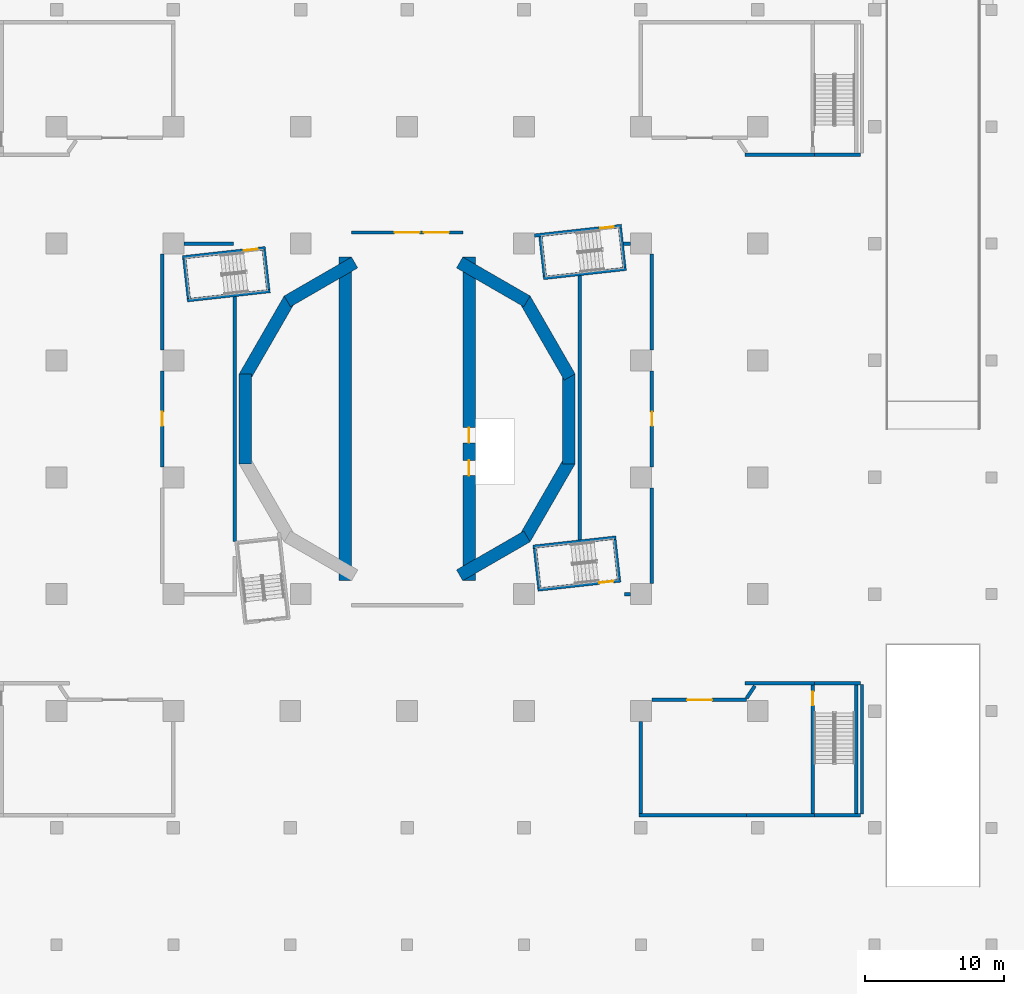
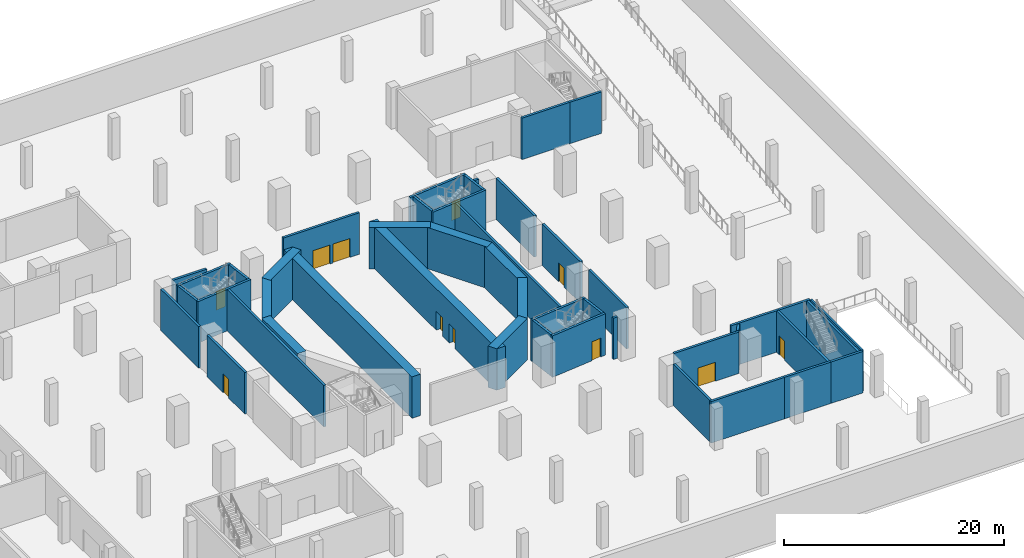
# One storey, part 6 of 20: 46 walls, 11 doors, 11 openings.
"""IFC4 building model written with IfcOpenShell, lengths in metres."""

from ifc_helpers import new_model, si_unit, direction, frame, frame_2d, origin, place, context, subcontext, project, spatial, rectangle, extrude, material, layer, layer_set, type_object, element, fill, save


model = new_model("IFC4")

# Units and contexts
model_context = context("Model", 3, precision=1e-05, world=origin(), true_north=direction((0.0, 1.0)))
body_context = subcontext(model_context, "Body", "Model", "MODEL_VIEW")
ifc_project = project(units=[si_unit("LENGTHUNIT", "METRE"), si_unit("AREAUNIT", "SQUARE_METRE"), si_unit("VOLUMEUNIT", "CUBIC_METRE"), si_unit("PLANEANGLEUNIT", "RADIAN"), si_unit("MASSUNIT", "GRAM", prefix="KILO")], contexts=[model_context])

# Site, building, storey
site_placement = place(None, origin())
site = spatial("IfcSite", under=ifc_project, at=site_placement, CompositionType="ELEMENT")
building_placement = place(site_placement, origin())
building = spatial("IfcBuilding", under=site, at=building_placement, Name="Cantera Rosa Tower", CompositionType="ELEMENT")
storey_placement = place(building_placement, frame((0.0, 0.0, -5.0)))
storey = spatial("IfcBuildingStorey", under=building, at=storey_placement, Name="B1", CompositionType="ELEMENT", Elevation=-5.0)

# Walls
ifc_material_1 = material(Name="Masonry blockwork", Category="masonry")
ifc_layer_1 = layer(ifc_material_1, 0.199951171875)
ifc_layer_set_1 = layer_set([ifc_layer_1], Name="Blockwork partition 200")
wall_type_1 = type_object("IfcWallType", Name="Blockwork partition 200", PredefinedType="PARTITIONING", material=ifc_layer_set_1)
wall_1_placement = place(storey_placement, frame((32.699951171875, -28.39990234375, 0.0), z_axis=(0.0, 0.0, 1.0), x_axis=(0.0, 1.0, 0.0)))
element("IfcWall", 1, at=wall_1_placement, inside=storey, type_object=wall_type_1, Name="Partition B1-32", PredefinedType="PARTITIONING", context=body_context, shape_type="SweptSolid", body=[
    extrude(rectangle(XDim=9.2998046875, YDim=0.199951171875, at=frame_2d((4.64990234375, 0.0))), origin(), (0.0, 0.0, 1.0), 4.60009765625),
])
ifc_material_2 = material(Name="Concrete C70/85", Category="concrete")
ifc_layer_2 = layer(ifc_material_2, 0.89990234375)
ifc_layer_set_2 = layer_set([ifc_layer_2], Name="Drum wall 900")
wall_type_2 = type_object("IfcWallType", Name="Drum wall 900", PredefinedType="SHEAR", material=ifc_layer_set_2)
wall_2_placement = place(storey_placement, frame((-11.6240234375, -3.2353515625, 0.0), z_axis=(0.0, 0.0, 1.0), x_axis=(0.0, 1.0, 0.0)))
element("IfcWall", 2, at=wall_2_placement, inside=storey, type_object=wall_type_2, Name="Drum wall west 3 B1", PredefinedType="SHEAR", context=body_context, shape_type="SweptSolid", body=[
    extrude(rectangle(XDim=6.470703125, YDim=0.89990234375, at=frame_2d((3.2353515625, 0.0))), origin(), (0.0, 0.0, 1.0), 4.60009765625),
])
wall_3_placement = place(storey_placement, frame((-11.684326171875, 3.01025390625, 0.0), z_axis=(0.0, 0.0, 1.0), x_axis=(0.499990282633, 0.866031014036, 0.0)))
element("IfcWall", 3, at=wall_3_placement, inside=storey, type_object=wall_type_2, Name="Drum wall west 4 B1", PredefinedType="SHEAR", context=body_context, shape_type="SweptSolid", body=[
    extrude(rectangle(XDim=6.470458984375, YDim=0.89990234375, at=frame_2d((3.2353515625, 0.0))), origin(), (0.0, 0.0, 1.0), 4.60009765625),
])
wall_4_placement = place(storey_placement, frame((-8.61376953125, 8.44921875, 0.0), z_axis=(0.0, 0.0, 1.0), x_axis=(0.866026961591, 0.49999730179, 0.0)))
element("IfcWall", 4, at=wall_4_placement, inside=storey, type_object=wall_type_2, Name="Drum wall west 5 B1", PredefinedType="SHEAR", context=body_context, shape_type="SweptSolid", body=[
    extrude(rectangle(XDim=5.58740234375, YDim=0.89990234375, at=frame_2d((2.793701171875, 0.0))), origin(), (0.0, 0.0, 1.0), 4.60009765625),
])
wall_5_placement = place(storey_placement, frame((-4.449951171875, 11.632568359375, 0.0), z_axis=(0.0, 0.0, 1.0), x_axis=(0.0, -1.0, 0.0)))
element("IfcWall", 5, at=wall_5_placement, inside=storey, type_object=wall_type_2, Name="Drum wall west 6 B1", PredefinedType="SHEAR", context=body_context, shape_type="SweptSolid", body=[
    extrude(rectangle(XDim=23.26513671875, YDim=0.89990234375, at=frame_2d((11.632568359375, 0.0))), origin(), (0.0, 0.0, 1.0), 4.60009765625),
])
wall_6_placement = place(storey_placement, frame((3.77490234375, 11.242919921875, 0.0), z_axis=(0.0, 0.0, 1.0), x_axis=(0.866026961591, -0.49999730179, 0.0)))
element("IfcWall", 6, at=wall_6_placement, inside=storey, type_object=wall_type_2, Name="Drum wall east 1 B1", PredefinedType="SHEAR", context=body_context, shape_type="SweptSolid", body=[
    extrude(rectangle(XDim=5.58740234375, YDim=0.89990234375, at=frame_2d((2.793701171875, 0.0))), origin(), (0.0, 0.0, 1.0), 4.60009765625),
])
wall_7_placement = place(storey_placement, frame((8.44921875, 8.61376953125, 0.0), z_axis=(0.0, 0.0, 1.0), x_axis=(0.499990282633, -0.866031014036, 0.0)))
element("IfcWall", 7, at=wall_7_placement, inside=storey, type_object=wall_type_2, Name="Drum wall east 2 B1", PredefinedType="SHEAR", context=body_context, shape_type="SweptSolid", body=[
    extrude(rectangle(XDim=6.470458984375, YDim=0.89990234375, at=frame_2d((3.2353515625, 0.0))), origin(), (0.0, 0.0, 1.0), 4.60009765625),
])
wall_8_placement = place(storey_placement, frame((11.6240234375, 3.2353515625, 0.0), z_axis=(0.0, 0.0, 1.0), x_axis=(0.0, -1.0, 0.0)))
element("IfcWall", 8, at=wall_8_placement, inside=storey, type_object=wall_type_2, Name="Drum wall east 3 B1", PredefinedType="SHEAR", context=body_context, shape_type="SweptSolid", body=[
    extrude(rectangle(XDim=6.470703125, YDim=0.89990234375, at=frame_2d((3.2353515625, 0.0))), origin(), (0.0, 0.0, 1.0), 4.60009765625),
])
wall_9_placement = place(storey_placement, frame((11.684326171875, -3.01025390625, 0.0), z_axis=(0.0, 0.0, 1.0), x_axis=(-0.499990282633, -0.866031014036, 0.0)))
element("IfcWall", 9, at=wall_9_placement, inside=storey, type_object=wall_type_2, Name="Drum wall east 4 B1", PredefinedType="SHEAR", context=body_context, shape_type="SweptSolid", body=[
    extrude(rectangle(XDim=6.470458984375, YDim=0.89990234375, at=frame_2d((3.2353515625, 0.0))), origin(), (0.0, 0.0, 1.0), 4.60009765625),
])
wall_10_placement = place(storey_placement, frame((8.61376953125, -8.44921875, 0.0), z_axis=(0.0, 0.0, 1.0), x_axis=(-0.866026961591, -0.49999730179, 0.0)))
element("IfcWall", 10, at=wall_10_placement, inside=storey, type_object=wall_type_2, Name="Drum wall east 5 B1", PredefinedType="SHEAR", context=body_context, shape_type="SweptSolid", body=[
    extrude(rectangle(XDim=5.58740234375, YDim=0.89990234375, at=frame_2d((2.793701171875, 0.0))), origin(), (0.0, 0.0, 1.0), 4.60009765625),
])

# Wall, openings, doors
wall_11_placement = place(storey_placement, frame((4.449951171875, -11.632568359375, 0.0), z_axis=(0.0, 0.0, 1.0), x_axis=(0.0, 1.0, 0.0)))
wall_11 = element("IfcWall", 11, at=wall_11_placement, inside=storey, type_object=wall_type_2, Name="Drum wall east 6 B1", PredefinedType="SHEAR", context=body_context, shape_type="SweptSolid", body=[
    extrude(rectangle(XDim=23.26513671875, YDim=0.89990234375, at=frame_2d((11.632568359375, 0.0))), origin(), (0.0, 0.0, 1.0), 4.60009765625),
])
opening_1_placement = place(wall_11_placement, frame((7.5576171875, 0.0, 0.0)))
opening_1 = element("IfcOpeningElement", 12, at=opening_1_placement, cuts=wall_11, Name="Opening LD-FF1-B1", PredefinedType="OPENING", context=body_context, shape_type="SweptSolid", body=[
    extrude(rectangle(XDim=1.10009765625, YDim=2.10009765625, at=frame_2d((0.550048828125, 1.050048828125))), frame((0.0, 0.4599609375, 0.0), z_axis=(0.0, -1.0, 0.0), x_axis=(1.0, 0.0, 0.0)), (0.0, 0.0, 1.0), 0.919921875),
])
opening_2_placement = place(wall_11_placement, frame((9.907470703125, 0.0, 0.0)))
opening_2 = element("IfcOpeningElement", 13, at=opening_2_placement, cuts=wall_11, Name="Opening LD-FF2-B1", PredefinedType="OPENING", context=body_context, shape_type="SweptSolid", body=[
    extrude(rectangle(XDim=1.10009765625, YDim=2.10009765625, at=frame_2d((0.550048828125, 1.050048828125))), frame((0.0, 0.4599609375, 0.0), z_axis=(0.0, -1.0, 0.0), x_axis=(1.0, 0.0, 0.0)), (0.0, 0.0, 1.0), 0.919921875),
])
ifc_material_3 = material(Name="Steel S355J2 (EN 10025-2)", Category="steel")
door_type_1 = type_object("IfcDoorType", Name="LANDING DOOR 1100x2100", OperationType="NOTDEFINED", PredefinedType="DOOR", material=ifc_material_3)
door_1_placement = place(opening_1_placement, origin())
door_1 = element("IfcDoor", 14, at=door_1_placement, inside=storey, type_object=door_type_1, Name="LANDING DOOR FF1 B1", OperationType="SLIDING_TO_LEFT", OverallHeight=2.10009765625, OverallWidth=1.10009765625, PredefinedType="DOOR", context=body_context, shape_type="SweptSolid", body=[
    extrude(rectangle(XDim=1.10009765625, YDim=2.10009765625, at=frame_2d((0.550048828125, 1.050048828125))), frame((0.0, 0.02490234375, 0.0), z_axis=(0.0, -1.0, 0.0), x_axis=(1.0, 0.0, 0.0)), (0.0, 0.0, 1.0), 0.050048828125),
])
fill(opening_1, door_1)
door_2_placement = place(opening_2_placement, origin())
door_2 = element("IfcDoor", 15, at=door_2_placement, inside=storey, type_object=door_type_1, Name="LANDING DOOR FF2 B1", OperationType="SLIDING_TO_LEFT", OverallHeight=2.10009765625, OverallWidth=1.10009765625, PredefinedType="DOOR", context=body_context, shape_type="SweptSolid", body=[
    extrude(rectangle(XDim=1.10009765625, YDim=2.10009765625, at=frame_2d((0.550048828125, 1.050048828125))), frame((0.0, 0.02490234375, 0.0), z_axis=(0.0, -1.0, 0.0), x_axis=(1.0, 0.0, 0.0)), (0.0, 0.0, 1.0), 0.050048828125),
])
fill(opening_2, door_2)

# Walls
ifc_material_4 = material(Name="Concrete C50/60", Category="concrete")
ifc_layer_3 = layer(ifc_material_4, 0.25)
ifc_layer_set_3 = layer_set([ifc_layer_3], Name="External stair wall 250")
wall_type_3 = type_object("IfcWallType", Name="External stair wall 250", PredefinedType="SOLIDWALL", material=ifc_layer_set_3)
wall_12_placement = place(storey_placement, frame((12.39990234375, -8.6923828125, 0.0), z_axis=(0.0, 0.0, 1.0), x_axis=(0.0, 1.0, 0.0)))
element("IfcWall", 16, at=wall_12_placement, inside=storey, type_object=wall_type_3, Name="Fire wall B1-8", PredefinedType="PARTITIONING", context=body_context, shape_type="SweptSolid", body=[
    extrude(rectangle(XDim=18.98486328125, YDim=0.25, at=frame_2d((9.492431640625, 0.0))), origin(), (0.0, 0.0, 1.0), 4.60009765625),
])
for number, where, z_axis, x_axis, name in (
    (17, (32.60009765625, 19.0, 0.0), (0.0, 0.0, 1.0), (-1.0, 0.0, 0.0), "Stair wall B1-31"),
    (18, (29.27490234375, -19.0, 0.0), (0.0, 0.0, 1.0), (1.0, 0.0, 0.0), "Stair wall B1-54"),
    (19, (32.60009765625, -28.5, 0.0), (0.0, 0.0, 1.0), (-1.0, 0.0, 0.0), "Stair wall B1-61"),
):
    element("IfcWall", number, at=place(storey_placement, frame(where, z_axis=z_axis, x_axis=x_axis)), inside=storey, type_object=wall_type_3, Name=name, PredefinedType="SOLIDWALL", context=body_context, shape_type="SweptSolid", body=[
        extrude(rectangle(XDim=3.3251953125, YDim=0.25, at=frame_2d((1.66259765625, 0.0))), origin(), (0.0, 0.0, 1.0), 4.60009765625),
    ])
ifc_material_5 = material(Name="Masonry blockwork", Category="masonry")
ifc_layer_4 = layer(ifc_material_5, 0.25)
ifc_layer_set_4 = layer_set([ifc_layer_4], Name="Fire-rated external wall 250")
wall_type_4 = type_object("IfcWallType", Name="Fire-rated external wall 250", PredefinedType="PARTITIONING", material=ifc_layer_set_4)
wall_13_placement = place(storey_placement, frame((15.613525390625, -12.60009765625, 0.0), z_axis=(0.0, 0.0, 1.0), x_axis=(1.0, 0.0, 0.0)))
element("IfcWall", 20, at=wall_13_placement, inside=storey, type_object=wall_type_4, Name="Fire wall B1-7", PredefinedType="PARTITIONING", context=body_context, shape_type="SweptSolid", body=[
    extrude(rectangle(XDim=0.4365234375, YDim=0.25, at=frame_2d((0.21826171875, 0.0))), origin(), (0.0, 0.0, 1.0), 4.60009765625),
])
wall_14_placement = place(storey_placement, frame((-16.050048828125, 12.60009765625, 0.0), z_axis=(0.0, 0.0, 1.0), x_axis=(1.0, 0.0, 0.0)))
element("IfcWall", 21, at=wall_14_placement, inside=storey, type_object=wall_type_4, Name="Fire wall B1-9", PredefinedType="PARTITIONING", context=body_context, shape_type="SweptSolid", body=[
    extrude(rectangle(XDim=3.560546875, YDim=0.25, at=frame_2d((1.7802734375, 0.0))), origin(), (0.0, 0.0, 1.0), 4.60009765625),
])
wall_15_placement = place(storey_placement, frame((15.5517578125, 12.60009765625, 0.0), z_axis=(0.0, 0.0, 1.0), x_axis=(1.0, 0.0, 0.0)))
element("IfcWall", 22, at=wall_15_placement, inside=storey, type_object=wall_type_4, Name="Fire wall B1-10", PredefinedType="PARTITIONING", context=body_context, shape_type="SweptSolid", body=[
    extrude(rectangle(XDim=0.498291015625, YDim=0.25, at=frame_2d((0.2490234375, 0.0))), origin(), (0.0, 0.0, 1.0), 4.60009765625),
])
wall_16_placement = place(storey_placement, frame((-12.39990234375, -8.7998046875, 0.0), z_axis=(0.0, 0.0, 1.0), x_axis=(0.0, 1.0, 0.0)))
element("IfcWall", 23, at=wall_16_placement, inside=storey, type_object=wall_type_4, Name="Fire wall B1-15", PredefinedType="PARTITIONING", context=body_context, shape_type="SweptSolid", body=[
    extrude(rectangle(XDim=17.5810546875, YDim=0.25, at=frame_2d((8.79052734375, 0.0))), origin(), (0.0, 0.0, 1.0), 4.60009765625),
])
wall_17_placement = place(storey_placement, frame((24.27490234375, 19.0, 0.0), z_axis=(0.0, 0.0, 1.0), x_axis=(1.0, 0.0, 0.0)))
element("IfcWall", 24, at=wall_17_placement, inside=storey, type_object=wall_type_4, Name="Fire wall B1-30", PredefinedType="PARTITIONING", context=body_context, shape_type="SweptSolid", body=[
    extrude(rectangle(XDim=5.0, YDim=0.25, at=frame_2d((2.5, 0.0))), origin(), (0.0, 0.0, 1.0), 4.60009765625),
])
wall_18_placement = place(storey_placement, frame((16.800048828125, -28.375, 0.0), z_axis=(0.0, 0.0, 1.0), x_axis=(0.0, 1.0, 0.0)))
element("IfcWall", 25, at=wall_18_placement, inside=storey, type_object=wall_type_4, Name="Fire wall B1-34", PredefinedType="PARTITIONING", context=body_context, shape_type="SweptSolid", body=[
    extrude(rectangle(XDim=6.625, YDim=0.25, at=frame_2d((3.3125, 0.0))), origin(), (0.0, 0.0, 1.0), 4.60009765625),
])
wall_19_placement = place(storey_placement, frame((24.27490234375, -19.0, 0.0), z_axis=(0.0, 0.0, 1.0), x_axis=(1.0, 0.0, 0.0)))
element("IfcWall", 26, at=wall_19_placement, inside=storey, type_object=wall_type_4, Name="Fire wall B1-53", PredefinedType="PARTITIONING", context=body_context, shape_type="SweptSolid", body=[
    extrude(rectangle(XDim=5.0, YDim=0.25, at=frame_2d((2.5, 0.0))), origin(), (0.0, 0.0, 1.0), 4.60009765625),
])
wall_20_placement = place(storey_placement, frame((16.675048828125, -28.5, 0.0), z_axis=(0.0, 0.0, 1.0), x_axis=(1.0, 0.0, 0.0)))
element("IfcWall", 27, at=wall_20_placement, inside=storey, type_object=wall_type_4, Name="Fire wall B1-59", PredefinedType="PARTITIONING", context=body_context, shape_type="SweptSolid", body=[
    extrude(rectangle(XDim=7.724853515625, YDim=0.25, at=frame_2d((3.8623046875, 0.0))), origin(), (0.0, 0.0, 1.0), 4.60009765625),
])
wall_21_placement = place(storey_placement, frame((24.39990234375, -28.5, 0.0), z_axis=(0.0, 0.0, 1.0), x_axis=(1.0, 0.0, 0.0)))
element("IfcWall", 28, at=wall_21_placement, inside=storey, type_object=wall_type_4, Name="Fire wall B1-60", PredefinedType="PARTITIONING", context=body_context, shape_type="SweptSolid", body=[
    extrude(rectangle(XDim=4.875, YDim=0.25, at=frame_2d((2.4375, 0.0))), origin(), (0.0, 0.0, 1.0), 4.60009765625),
])

# Wall, openings, doors
ifc_material_6 = material(Name="Masonry blockwork", Category="masonry")
ifc_layer_5 = layer(ifc_material_6, 0.25)
ifc_layer_set_5 = layer_set([ifc_layer_5], Name="Fire-rated wall 250")
wall_type_5 = type_object("IfcWallType", Name="Fire-rated wall 250", PredefinedType="PARTITIONING", material=ifc_layer_set_5)
wall_22_placement = place(storey_placement, frame((-4.0, 13.39990234375, 0.0), z_axis=(0.0, 0.0, 1.0), x_axis=(1.0, 0.0, 0.0)))
wall_22 = element("IfcWall", 29, at=wall_22_placement, inside=storey, type_object=wall_type_5, Name="Fire wall B1-1", PredefinedType="PARTITIONING", context=body_context, shape_type="SweptSolid", body=[
    extrude(rectangle(XDim=8.0, YDim=0.25, at=frame_2d((4.0, 0.0))), origin(), (0.0, 0.0, 1.0), 4.60009765625),
])
opening_3_placement = place(wall_22_placement, frame((3.10009765625, 0.0, 0.0)))
opening_3 = element("IfcOpeningElement", 30, at=opening_3_placement, cuts=wall_22, Name="Opening B1-009", PredefinedType="OPENING", context=body_context, shape_type="SweptSolid", body=[
    extrude(rectangle(XDim=1.800048828125, YDim=2.10009765625, at=frame_2d((0.89990234375, 1.050048828125))), frame((0.0, 0.135009765625, 0.0), z_axis=(0.0, -1.0, 0.0), x_axis=(1.0, 0.0, 0.0)), (0.0, 0.0, 1.0), 0.27001953125),
])
opening_4_placement = place(wall_22_placement, frame((5.199951171875, 0.0, 0.0)))
opening_4 = element("IfcOpeningElement", 31, at=opening_4_placement, cuts=wall_22, Name="Opening B1-010", PredefinedType="OPENING", context=body_context, shape_type="SweptSolid", body=[
    extrude(rectangle(XDim=1.800048828125, YDim=2.10009765625, at=frame_2d((0.89990234375, 1.050048828125))), frame((0.0, 0.135009765625, 0.0), z_axis=(0.0, -1.0, 0.0), x_axis=(1.0, 0.0, 0.0)), (0.0, 0.0, 1.0), 0.27001953125),
])
ifc_material_7 = material(Name="Steel S355J2 (EN 10025-2)", Category="steel")
door_type_2 = type_object("IfcDoorType", Name="Fire double door 1800x2100", OperationType="NOTDEFINED", PredefinedType="DOOR", material=ifc_material_7)
door_3_placement = place(opening_3_placement, origin())
door_3 = element("IfcDoor", 32, at=door_3_placement, inside=storey, type_object=door_type_2, Name="Door B1-009", OperationType="DOUBLE_DOOR_SINGLE_SWING", OverallHeight=2.10009765625, OverallWidth=1.800048828125, PredefinedType="DOOR", context=body_context, shape_type="SweptSolid", body=[
    extrude(rectangle(XDim=1.800048828125, YDim=2.10009765625, at=frame_2d((0.89990234375, 1.050048828125))), frame((0.0, 0.02490234375, 0.0), z_axis=(0.0, -1.0, 0.0), x_axis=(1.0, 0.0, 0.0)), (0.0, 0.0, 1.0), 0.050048828125),
])
fill(opening_3, door_3)
door_4_placement = place(opening_4_placement, origin())
door_4 = element("IfcDoor", 33, at=door_4_placement, inside=storey, type_object=door_type_2, Name="Door B1-010", OperationType="DOUBLE_DOOR_SINGLE_SWING", OverallHeight=2.10009765625, OverallWidth=1.800048828125, PredefinedType="DOOR", context=body_context, shape_type="SweptSolid", body=[
    extrude(rectangle(XDim=1.800048828125, YDim=2.10009765625, at=frame_2d((0.89990234375, 1.050048828125))), frame((0.0, 0.02490234375, 0.0), z_axis=(0.0, -1.0, 0.0), x_axis=(1.0, 0.0, 0.0)), (0.0, 0.0, 1.0), 0.050048828125),
])
fill(opening_4, door_4)

# Wall
wall_23_placement = place(storey_placement, frame((17.60009765625, -11.85009765625, 0.0), z_axis=(0.0, 0.0, 1.0), x_axis=(0.0, 1.0, 0.0)))
element("IfcWall", 34, at=wall_23_placement, inside=storey, type_object=wall_type_5, Name="Fire wall B1-3", PredefinedType="PARTITIONING", context=body_context, shape_type="SweptSolid", body=[
    extrude(rectangle(XDim=6.900146484375, YDim=0.25, at=frame_2d((3.4501953125, 0.0))), origin(), (0.0, 0.0, 1.0), 4.60009765625),
])

# Wall, opening, door
wall_24_placement = place(storey_placement, frame((17.60009765625, -3.449951171875, 0.0), z_axis=(0.0, 0.0, 1.0), x_axis=(0.0, 1.0, 0.0)))
wall_24 = element("IfcWall", 35, at=wall_24_placement, inside=storey, type_object=wall_type_5, Name="Fire wall B1-4", PredefinedType="PARTITIONING", context=body_context, shape_type="SweptSolid", body=[
    extrude(rectangle(XDim=6.89990234375, YDim=0.25, at=frame_2d((3.449951171875, 0.0))), origin(), (0.0, 0.0, 1.0), 4.60009765625),
])
opening_5_placement = place(wall_24_placement, frame((2.949951171875, 0.0, 0.0)))
opening_5 = element("IfcOpeningElement", 36, at=opening_5_placement, cuts=wall_24, Name="Opening B1-011", PredefinedType="OPENING", context=body_context, shape_type="SweptSolid", body=[
    extrude(rectangle(XDim=1.0, YDim=2.10009765625, at=frame_2d((0.5, 1.050048828125))), frame((0.0, 0.135009765625, 0.0), z_axis=(0.0, -1.0, 0.0), x_axis=(1.0, 0.0, 0.0)), (0.0, 0.0, 1.0), 0.27001953125),
])
ifc_material_8 = material(Name="Steel S355J2 (EN 10025-2)", Category="steel")
door_type_3 = type_object("IfcDoorType", Name="Fire door 1000x2100", OperationType="NOTDEFINED", PredefinedType="DOOR", material=ifc_material_8)
door_5_placement = place(opening_5_placement, origin())
door_5 = element("IfcDoor", 37, at=door_5_placement, inside=storey, type_object=door_type_3, Name="Door B1-011", OverallHeight=2.10009765625, OverallWidth=1.0, PredefinedType="DOOR", context=body_context, shape_type="SweptSolid", body=[
    extrude(rectangle(XDim=1.0, YDim=2.10009765625, at=frame_2d((0.5, 1.050048828125))), frame((0.0, 0.02490234375, 0.0), z_axis=(0.0, -1.0, 0.0), x_axis=(1.0, 0.0, 0.0)), (0.0, 0.0, 1.0), 0.050048828125),
])
fill(opening_5, door_5)

# Wall
wall_25_placement = place(storey_placement, frame((17.60009765625, 4.949951171875, 0.0), z_axis=(0.0, 0.0, 1.0), x_axis=(0.0, 1.0, 0.0)))
element("IfcWall", 38, at=wall_25_placement, inside=storey, type_object=wall_type_5, Name="Fire wall B1-5", PredefinedType="PARTITIONING", context=body_context, shape_type="SweptSolid", body=[
    extrude(rectangle(XDim=6.900146484375, YDim=0.25, at=frame_2d((3.4501953125, 0.0))), origin(), (0.0, 0.0, 1.0), 4.60009765625),
])

# Wall, opening, door
wall_26_placement = place(storey_placement, frame((-17.60009765625, -3.449951171875, 0.0), z_axis=(0.0, 0.0, 1.0), x_axis=(0.0, 1.0, 0.0)))
wall_26 = element("IfcWall", 39, at=wall_26_placement, inside=storey, type_object=wall_type_5, Name="Fire wall B1-12", PredefinedType="PARTITIONING", context=body_context, shape_type="SweptSolid", body=[
    extrude(rectangle(XDim=6.89990234375, YDim=0.25, at=frame_2d((3.449951171875, 0.0))), origin(), (0.0, 0.0, 1.0), 4.60009765625),
])
opening_6_placement = place(wall_26_placement, frame((2.949951171875, 0.0, 0.0)))
opening_6 = element("IfcOpeningElement", 40, at=opening_6_placement, cuts=wall_26, Name="Opening B1-012", PredefinedType="OPENING", context=body_context, shape_type="SweptSolid", body=[
    extrude(rectangle(XDim=1.0, YDim=2.10009765625, at=frame_2d((0.5, 1.050048828125))), frame((0.0, 0.135009765625, 0.0), z_axis=(0.0, -1.0, 0.0), x_axis=(1.0, 0.0, 0.0)), (0.0, 0.0, 1.0), 0.27001953125),
])
door_6_placement = place(opening_6_placement, origin())
door_6 = element("IfcDoor", 41, at=door_6_placement, inside=storey, type_object=door_type_3, Name="Door B1-012", OverallHeight=2.10009765625, OverallWidth=1.0, PredefinedType="DOOR", context=body_context, shape_type="SweptSolid", body=[
    extrude(rectangle(XDim=1.0, YDim=2.10009765625, at=frame_2d((0.5, 1.050048828125))), frame((0.0, 0.02490234375, 0.0), z_axis=(0.0, -1.0, 0.0), x_axis=(1.0, 0.0, 0.0)), (0.0, 0.0, 1.0), 0.050048828125),
])
fill(opening_6, door_6)

# Walls
wall_27_placement = place(storey_placement, frame((-17.60009765625, 4.949951171875, 0.0), z_axis=(0.0, 0.0, 1.0), x_axis=(0.0, 1.0, 0.0)))
element("IfcWall", 42, at=wall_27_placement, inside=storey, type_object=wall_type_5, Name="Fire wall B1-13", PredefinedType="PARTITIONING", context=body_context, shape_type="SweptSolid", body=[
    extrude(rectangle(XDim=6.900146484375, YDim=0.25, at=frame_2d((3.4501953125, 0.0))), origin(), (0.0, 0.0, 1.0), 4.60009765625),
])
wall_28_placement = place(storey_placement, frame((24.39990234375, -20.074951171875, 0.0), z_axis=(0.0, 0.0, 1.0), x_axis=(0.559343029511, 0.828936291483, 0.0)))
element("IfcWall", 43, at=wall_28_placement, inside=storey, type_object=wall_type_5, Name="Fire wall B1-36", PredefinedType="PARTITIONING", context=body_context, shape_type="SweptSolid", body=[
    extrude(rectangle(XDim=1.06591796875, YDim=0.25, at=frame_2d((0.532958984375, 0.0))), origin(), (0.0, 0.0, 1.0), 4.60009765625),
])

# Wall, opening, door
wall_29_placement = place(storey_placement, frame((17.60009765625, -20.199951171875, 0.0), z_axis=(0.0, 0.0, 1.0), x_axis=(1.0, 0.0, 0.0)))
wall_29 = element("IfcWall", 44, at=wall_29_placement, inside=storey, type_object=wall_type_5, Name="Fire wall B1-63", PredefinedType="PARTITIONING", context=body_context, shape_type="SweptSolid", body=[
    extrude(rectangle(XDim=6.809814453125, YDim=0.25, at=frame_2d((3.40478515625, 0.0))), origin(), (0.0, 0.0, 1.0), 4.60009765625),
])
opening_7_placement = place(wall_29_placement, frame((2.52490234375, 0.0, 0.0)))
opening_7 = element("IfcOpeningElement", 45, at=opening_7_placement, cuts=wall_29, Name="Opening B1-005", PredefinedType="OPENING", context=body_context, shape_type="SweptSolid", body=[
    extrude(rectangle(XDim=1.800048828125, YDim=2.10009765625, at=frame_2d((0.89990234375, 1.050048828125))), frame((0.0, 0.135009765625, 0.0), z_axis=(0.0, -1.0, 0.0), x_axis=(1.0, 0.0, 0.0)), (0.0, 0.0, 1.0), 0.27001953125),
])
door_7_placement = place(opening_7_placement, origin())
door_7 = element("IfcDoor", 46, at=door_7_placement, inside=storey, type_object=door_type_2, Name="Door B1-005", OperationType="DOUBLE_DOOR_SINGLE_SWING", OverallHeight=2.10009765625, OverallWidth=1.800048828125, PredefinedType="DOOR", context=body_context, shape_type="SweptSolid", body=[
    extrude(rectangle(XDim=1.800048828125, YDim=2.10009765625, at=frame_2d((0.89990234375, 1.050048828125))), frame((0.0, 0.02490234375, 0.0), z_axis=(0.0, -1.0, 0.0), x_axis=(1.0, 0.0, 0.0)), (0.0, 0.0, 1.0), 0.050048828125),
])
fill(opening_7, door_7)

# Wall
ifc_material_9 = material(Name="Concrete C50/60", Category="concrete")
ifc_layer_6 = layer(ifc_material_9, 0.25)
ifc_layer_set_6 = layer_set([ifc_layer_6], Name="RC stair wall 250 C50/60")
wall_type_6 = type_object("IfcWallType", Name="RC stair wall 250", PredefinedType="SOLIDWALL", material=ifc_layer_set_6)
wall_30_placement = place(storey_placement, frame((32.300048828125, -28.375, 0.0), z_axis=(0.0, 0.0, 1.0), x_axis=(0.0, 1.0, 0.0)))
element("IfcWall", 47, at=wall_30_placement, inside=storey, type_object=wall_type_6, Name="Stair wall B1-16", PredefinedType="SOLIDWALL", context=body_context, shape_type="SweptSolid", body=[
    extrude(rectangle(XDim=9.25, YDim=0.25, at=frame_2d((4.625, 0.0))), origin(), (0.0, 0.0, 1.0), 4.60009765625),
])

# Wall, opening, door
wall_31_placement = place(storey_placement, frame((29.14990234375, -28.375, 0.0), z_axis=(0.0, 0.0, 1.0), x_axis=(0.0, 1.0, 0.0)))
wall_31 = element("IfcWall", 48, at=wall_31_placement, inside=storey, type_object=wall_type_6, Name="Stair wall B1-25", PredefinedType="SOLIDWALL", context=body_context, shape_type="SweptSolid", body=[
    extrude(rectangle(XDim=9.25, YDim=0.25, at=frame_2d((4.625, 0.0))), origin(), (0.0, 0.0, 1.0), 4.60009765625),
])
opening_8_placement = place(wall_31_placement, frame((7.77490234375, 0.0, 0.0)))
opening_8 = element("IfcOpeningElement", 49, at=opening_8_placement, cuts=wall_31, Name="Opening B1-006", PredefinedType="OPENING", context=body_context, shape_type="SweptSolid", body=[
    extrude(rectangle(XDim=1.0, YDim=2.10009765625, at=frame_2d((0.5, 1.050048828125))), frame((0.0, 0.135009765625, 0.0), z_axis=(0.0, -1.0, 0.0), x_axis=(1.0, 0.0, 0.0)), (0.0, 0.0, 1.0), 0.27001953125),
])
ifc_material_10 = material(Name="Steel S355J2 (EN 10025-2)", Category="steel")
door_type_4 = type_object("IfcDoorType", Name="Fire door 1000x2100 EI 120", OperationType="NOTDEFINED", PredefinedType="DOOR", material=ifc_material_10)
door_8_placement = place(opening_8_placement, origin())
door_8 = element("IfcDoor", 50, at=door_8_placement, inside=storey, type_object=door_type_4, Name="Door B1-006", OverallHeight=2.10009765625, OverallWidth=1.0, PredefinedType="DOOR", context=body_context, shape_type="SweptSolid", body=[
    extrude(rectangle(XDim=1.0, YDim=2.10009765625, at=frame_2d((0.5, 1.050048828125))), frame((0.0, 0.02490234375, 0.0), z_axis=(0.0, -1.0, 0.0), x_axis=(1.0, 0.0, 0.0)), (0.0, 0.0, 1.0), 0.050048828125),
])
fill(opening_8, door_8)

# Walls
wall_32_placement = place(storey_placement, frame((15.30029296875, 13.7333984375, 0.0), z_axis=(0.0, 0.0, 1.0), x_axis=(0.110252878147, -0.99390356819, 0.0)))
element("IfcWall", 51, at=wall_32_placement, inside=storey, type_object=wall_type_6, Name="Stair wall ST-11 B1-1", PredefinedType="SOLIDWALL", context=body_context, shape_type="SweptSolid", body=[
    extrude(rectangle(XDim=2.849853515625, YDim=0.25, at=frame_2d((1.4248046875, 0.0))), origin(), (0.0, 0.0, 1.0), 4.60009765625),
])
wall_33_placement = place(storey_placement, frame((15.752685546875, 10.790283203125, 0.0), z_axis=(0.0, 0.0, 1.0), x_axis=(-0.993897125329, -0.110310943534, 0.0)))
element("IfcWall", 52, at=wall_33_placement, inside=storey, type_object=wall_type_6, Name="Stair wall ST-11 B1-2", PredefinedType="SOLIDWALL", context=body_context, shape_type="SweptSolid", body=[
    extrude(rectangle(XDim=6.0, YDim=0.25, at=frame_2d((3.0, 0.0))), origin(), (0.0, 0.0, 1.0), 4.60009765625),
])
wall_34_placement = place(storey_placement, frame((9.899658203125, 10.2666015625, 0.0), z_axis=(0.0, 0.0, 1.0), x_axis=(-0.110252878147, 0.99390356819, 0.0)))
element("IfcWall", 53, at=wall_34_placement, inside=storey, type_object=wall_type_6, Name="Stair wall ST-11 B1-3", PredefinedType="SOLIDWALL", context=body_context, shape_type="SweptSolid", body=[
    extrude(rectangle(XDim=2.849853515625, YDim=0.25, at=frame_2d((1.4248046875, 0.0))), origin(), (0.0, 0.0, 1.0), 4.60009765625),
])

# Wall, opening, door
wall_35_placement = place(storey_placement, frame((9.162353515625, 13.177978515625, 0.0), z_axis=(0.0, 0.0, 1.0), x_axis=(0.993895095647, 0.110329229349, 0.0)))
wall_35 = element("IfcWall", 54, at=wall_35_placement, inside=storey, type_object=wall_type_6, Name="Stair wall ST-11 B1-4", PredefinedType="SOLIDWALL", context=body_context, shape_type="SweptSolid", body=[
    extrude(rectangle(XDim=6.28662109375, YDim=0.25, at=frame_2d((3.143310546875, 0.0))), origin(), (0.0, 0.0, 1.0), 4.60009765625),
])
opening_9_placement = place(wall_35_placement, frame((4.736572265625, 0.0, 0.0)))
opening_9 = element("IfcOpeningElement", 55, at=opening_9_placement, cuts=wall_35, Name="Opening B1-ST-11", PredefinedType="OPENING", context=body_context, shape_type="SweptSolid", body=[
    extrude(rectangle(XDim=1.0, YDim=2.10009765625, at=frame_2d((0.5, 1.050048828125))), frame((0.0, 0.135009765625, 0.0), z_axis=(0.0, -1.0, 0.0), x_axis=(1.0, 0.0, 0.0)), (0.0, 0.0, 1.0), 0.27001953125),
])
door_9_placement = place(opening_9_placement, origin())
door_9 = element("IfcDoor", 56, at=door_9_placement, inside=storey, type_object=door_type_4, Name="Door B1-ST-11", OverallHeight=2.10009765625, OverallWidth=1.0, PredefinedType="DOOR", context=body_context, shape_type="SweptSolid", body=[
    extrude(rectangle(XDim=1.0, YDim=2.10009765625, at=frame_2d((0.5, 1.050048828125))), frame((0.0, 0.02490234375, 0.0), z_axis=(0.0, -1.0, 0.0), x_axis=(1.0, 0.0, 0.0)), (0.0, 0.0, 1.0), 0.050048828125),
])
fill(opening_9, door_9)

# Walls
wall_36_placement = place(storey_placement, frame((-10.2998046875, 12.133544921875, 0.0), z_axis=(0.0, 0.0, 1.0), x_axis=(0.110328108544, -0.993895220063, 0.0)))
element("IfcWall", 57, at=wall_36_placement, inside=storey, type_object=wall_type_6, Name="Stair wall ST-12 B1-1", PredefinedType="SOLIDWALL", context=body_context, shape_type="SweptSolid", body=[
    extrude(rectangle(XDim=2.85009765625, YDim=0.25, at=frame_2d((1.425048828125, 0.0))), origin(), (0.0, 0.0, 1.0), 4.60009765625),
])
wall_37_placement = place(storey_placement, frame((-9.847412109375, 9.1904296875, 0.0), z_axis=(0.0, 0.0, 1.0), x_axis=(-0.993897125329, -0.110310943534, 0.0)))
element("IfcWall", 58, at=wall_37_placement, inside=storey, type_object=wall_type_6, Name="Stair wall ST-12 B1-2", PredefinedType="SOLIDWALL", context=body_context, shape_type="SweptSolid", body=[
    extrude(rectangle(XDim=6.0, YDim=0.25, at=frame_2d((3.0, 0.0))), origin(), (0.0, 0.0, 1.0), 4.60009765625),
])
wall_38_placement = place(storey_placement, frame((-15.7001953125, 8.66650390625, 0.0), z_axis=(0.0, 0.0, 1.0), x_axis=(-0.110328108544, 0.993895220063, 0.0)))
element("IfcWall", 59, at=wall_38_placement, inside=storey, type_object=wall_type_6, Name="Stair wall ST-12 B1-3", PredefinedType="SOLIDWALL", context=body_context, shape_type="SweptSolid", body=[
    extrude(rectangle(XDim=2.85009765625, YDim=0.25, at=frame_2d((1.425048828125, 0.0))), origin(), (0.0, 0.0, 1.0), 4.60009765625),
])

# Wall, opening, door
wall_39_placement = place(storey_placement, frame((-16.152587890625, 11.609619140625, 0.0), z_axis=(0.0, 0.0, 1.0), x_axis=(0.993897125329, 0.110310943534, 0.0)))
wall_39 = element("IfcWall", 60, at=wall_39_placement, inside=storey, type_object=wall_type_6, Name="Stair wall ST-12 B1-4", PredefinedType="SOLIDWALL", context=body_context, shape_type="SweptSolid", body=[
    extrude(rectangle(XDim=6.0, YDim=0.25, at=frame_2d((3.0, 0.0))), origin(), (0.0, 0.0, 1.0), 4.60009765625),
])
opening_10_placement = place(wall_39_placement, frame((4.449951171875, 0.0, 0.0)))
opening_10 = element("IfcOpeningElement", 61, at=opening_10_placement, cuts=wall_39, Name="Opening B1-ST-12", PredefinedType="OPENING", context=body_context, shape_type="SweptSolid", body=[
    extrude(rectangle(XDim=1.0, YDim=2.10009765625, at=frame_2d((0.5, 1.050048828125))), frame((0.0, 0.135009765625, 0.0), z_axis=(0.0, -1.0, 0.0), x_axis=(1.0, 0.0, 0.0)), (0.0, 0.0, 1.0), 0.27001953125),
])
door_10_placement = place(opening_10_placement, origin())
door_10 = element("IfcDoor", 62, at=door_10_placement, inside=storey, type_object=door_type_4, Name="Door B1-ST-12", OverallHeight=2.10009765625, OverallWidth=1.0, PredefinedType="DOOR", context=body_context, shape_type="SweptSolid", body=[
    extrude(rectangle(XDim=1.0, YDim=2.10009765625, at=frame_2d((0.5, 1.050048828125))), frame((0.0, 0.02490234375, 0.0), z_axis=(0.0, -1.0, 0.0), x_axis=(1.0, 0.0, 0.0)), (0.0, 0.0, 1.0), 0.050048828125),
])
fill(opening_10, door_10)

# Wall
wall_40_placement = place(storey_placement, frame((14.900390625, -8.66650390625, 0.0), z_axis=(0.0, 0.0, 1.0), x_axis=(0.110243491536, -0.993904609394, 0.0)))
element("IfcWall", 63, at=wall_40_placement, inside=storey, type_object=wall_type_6, Name="Stair wall ST-14 B1-1", PredefinedType="SOLIDWALL", context=body_context, shape_type="SweptSolid", body=[
    extrude(rectangle(XDim=2.85009765625, YDim=0.25, at=frame_2d((1.425048828125, 0.0))), origin(), (0.0, 0.0, 1.0), 4.60009765625),
])

# Wall, opening, door
wall_41_placement = place(storey_placement, frame((15.352783203125, -11.609619140625, 0.0), z_axis=(0.0, 0.0, 1.0), x_axis=(-0.993897125329, -0.110310943534, 0.0)))
wall_41 = element("IfcWall", 64, at=wall_41_placement, inside=storey, type_object=wall_type_6, Name="Stair wall ST-14 B1-2", PredefinedType="SOLIDWALL", context=body_context, shape_type="SweptSolid", body=[
    extrude(rectangle(XDim=6.0, YDim=0.25, at=frame_2d((3.0, 0.0))), origin(), (0.0, 0.0, 1.0), 4.60009765625),
])
opening_11_placement = place(wall_41_placement, frame((0.550048828125, 0.0, 0.0)))
opening_11 = element("IfcOpeningElement", 65, at=opening_11_placement, cuts=wall_41, Name="Opening B1-ST-14", PredefinedType="OPENING", context=body_context, shape_type="SweptSolid", body=[
    extrude(rectangle(XDim=1.0, YDim=2.10009765625, at=frame_2d((0.5, 1.050048828125))), frame((0.0, 0.135009765625, 0.0), z_axis=(0.0, -1.0, 0.0), x_axis=(1.0, 0.0, 0.0)), (0.0, 0.0, 1.0), 0.27001953125),
])
door_11_placement = place(opening_11_placement, origin())
door_11 = element("IfcDoor", 66, at=door_11_placement, inside=storey, type_object=door_type_4, Name="Door B1-ST-14", OverallHeight=2.10009765625, OverallWidth=1.0, PredefinedType="DOOR", context=body_context, shape_type="SweptSolid", body=[
    extrude(rectangle(XDim=1.0, YDim=2.10009765625, at=frame_2d((0.5, 1.050048828125))), frame((0.0, 0.02490234375, 0.0), z_axis=(0.0, -1.0, 0.0), x_axis=(1.0, 0.0, 0.0)), (0.0, 0.0, 1.0), 0.050048828125),
])
fill(opening_11, door_11)

# Walls
wall_42_placement = place(storey_placement, frame((9.499755859375, -12.133544921875, 0.0), z_axis=(0.0, 0.0, 1.0), x_axis=(-0.110328108544, 0.993895220063, 0.0)))
element("IfcWall", 67, at=wall_42_placement, inside=storey, type_object=wall_type_6, Name="Stair wall ST-14 B1-3", PredefinedType="SOLIDWALL", context=body_context, shape_type="SweptSolid", body=[
    extrude(rectangle(XDim=2.85009765625, YDim=0.25, at=frame_2d((1.425048828125, 0.0))), origin(), (0.0, 0.0, 1.0), 4.60009765625),
])
wall_43_placement = place(storey_placement, frame((9.04736328125, -9.1904296875, 0.0), z_axis=(0.0, 0.0, 1.0), x_axis=(0.993897125329, 0.110310943534, 0.0)))
element("IfcWall", 68, at=wall_43_placement, inside=storey, type_object=wall_type_6, Name="Stair wall ST-14 B1-4", PredefinedType="SOLIDWALL", context=body_context, shape_type="SweptSolid", body=[
    extrude(rectangle(XDim=6.0, YDim=0.25, at=frame_2d((3.0, 0.0))), origin(), (0.0, 0.0, 1.0), 4.60009765625),
])

save(model, "model.ifc")
